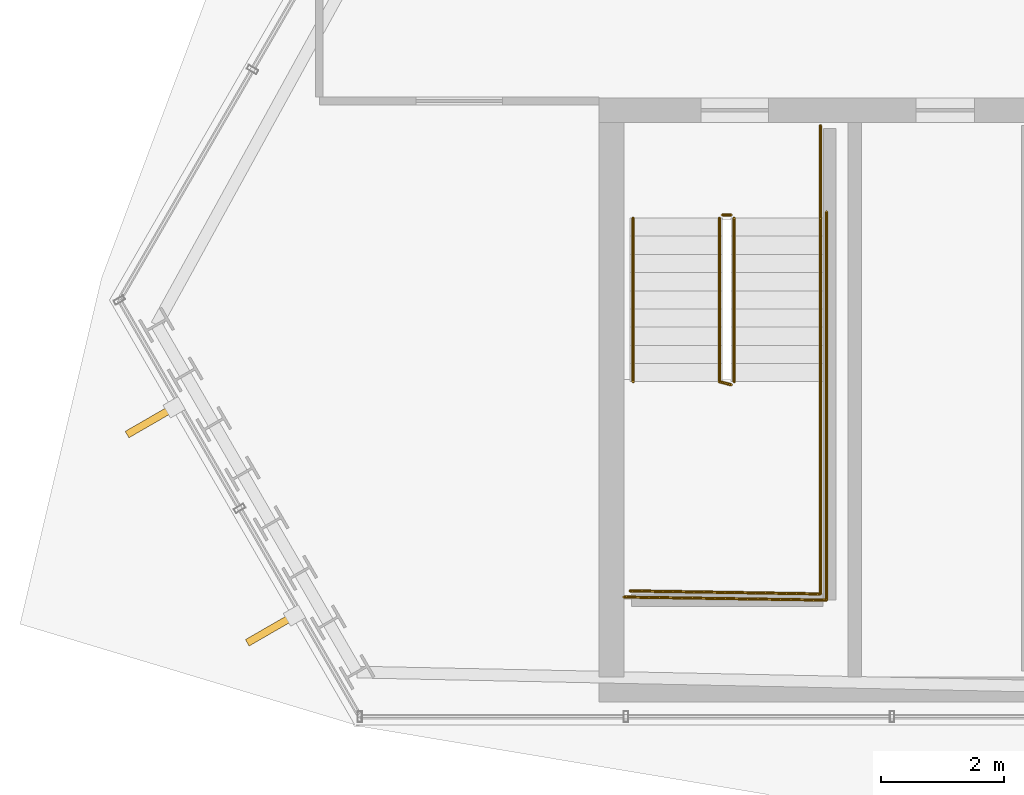
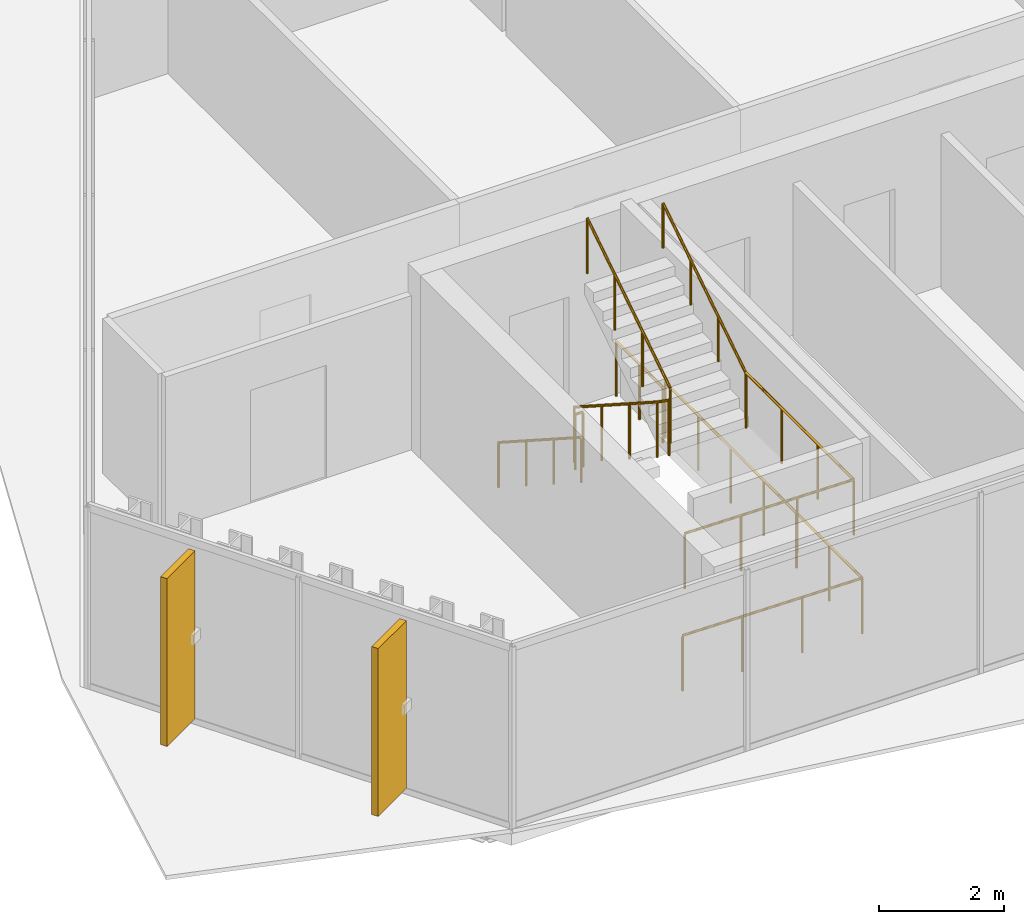
# One storey, part 32 of 37: 8 railings, 2 shading devices.
"""IFC4 building model written with IfcOpenShell, lengths in metres."""

import ifcopenshell
import ifcopenshell.guid

model = None  # the IFC model being written
_history = None  # IfcOwnerHistory: only IFC2X3 demands one
_inside = {}  # id of a spatial element -> (the spatial element, [elements in it])
_under = {}  # id of a project, library or spatial element -> (it, [spatial elements below it])
_declared = {}  # id of a project -> (the project, [libraries it declares])
_typed = {}  # id of a type object -> (the type object, [elements of that type])
_made_of = {}  # id of a material, layer set ... -> (it, [elements and type objects made of it])


def new_model(schema):
    """Start an empty IFC model of exactly this schema.

    Asked for "IFC4X3", IfcOpenShell would pick the latest addendum, in which some entities
    have other attributes; the version numbers below select the first issue.
    IFC2X3 requires an IfcOwnerHistory on every rooted entity: one is made here for all.
    """
    global model, _history
    if schema == "IFC4X3":
        model = ifcopenshell.file(schema_version=(4, 3, 0, 0))
    else:
        model = ifcopenshell.file(schema=schema)
    _inside.clear()
    _under.clear()
    _declared.clear()
    _typed.clear()
    _made_of.clear()
    _history = None
    if model.schema == "IFC2X3":
        org = make("IfcOrganization", Name="unknown")
        user = make(
            "IfcPersonAndOrganization",
            ThePerson=make("IfcPerson", FamilyName="unknown"),
            TheOrganization=org,
        )
        app = make(
            "IfcApplication",
            ApplicationDeveloper=org,
            Version="unknown",
            ApplicationFullName="unknown",
            ApplicationIdentifier="unknown",
        )
        _history = make(
            "IfcOwnerHistory",
            OwningUser=user,
            OwningApplication=app,
            ChangeAction="ADDED",
            CreationDate=0,
        )
    return model


def make(cls, **values):
    """One entity of the class cls with the attributes given. An attribute that is None is left unset."""
    return model.create_entity(
        cls, **{name: value for name, value in values.items() if value is not None}
    )


def rooted(cls, **values):
    """An entity with a GlobalId (a new one), such as an element, a storey or a relation."""
    return make(cls, GlobalId=ifcopenshell.guid.new(), OwnerHistory=_history, **values)


def si_unit(unit_type, name, prefix=None):
    """IfcSIUnit, for example si_unit("LENGTHUNIT", "METRE", prefix="MILLI")."""
    return make("IfcSIUnit", UnitType=unit_type, Prefix=prefix, Name=name)


def assignment(units):
    """IfcUnitAssignment: the units of a project."""
    return None if units is None else make("IfcUnitAssignment", Units=units)


def point(xyz):
    """IfcCartesianPoint."""
    return None if xyz is None else make("IfcCartesianPoint", Coordinates=xyz)


def direction(xyz):
    """IfcDirection."""
    return None if xyz is None else make("IfcDirection", DirectionRatios=xyz)


def frame(location, z_axis=None, x_axis=None):
    """IfcAxis2Placement3D, a coordinate frame: its origin and axes. An axis left out is left unset."""
    return make(
        "IfcAxis2Placement3D",
        Location=point(location),
        Axis=direction(z_axis),
        RefDirection=direction(x_axis),
    )


def frame_2d(location, x_axis=None):
    """IfcAxis2Placement2D, a coordinate frame in the plane: its origin and x axis."""
    return make(
        "IfcAxis2Placement2D", Location=point(location), RefDirection=direction(x_axis)
    )


def origin():
    """The frame at (0, 0, 0) with its axes left unset."""
    return frame((0.0, 0.0, 0.0))


def origin_2d():
    """The frame at (0, 0) in the plane with its x axis left unset."""
    return frame_2d((0.0, 0.0))


def place(relative_to, where):
    """IfcLocalPlacement: puts the frame where relative to a parent placement (None: the world)."""
    return make(
        "IfcLocalPlacement", PlacementRelTo=relative_to, RelativePlacement=where
    )


def context(
    kind, dimensions, precision=None, world=None, true_north=None, identifier=None
):
    """IfcGeometricRepresentationContext, for example the 3D "Model" context."""
    return make(
        "IfcGeometricRepresentationContext",
        ContextIdentifier=identifier,
        ContextType=kind,
        CoordinateSpaceDimension=dimensions,
        Precision=precision,
        WorldCoordinateSystem=world,
        TrueNorth=true_north,
    )


def subcontext(parent, identifier, kind, view, scale=None):
    """IfcGeometricRepresentationSubContext, for example "Body" below "Model"."""
    return make(
        "IfcGeometricRepresentationSubContext",
        ContextIdentifier=identifier,
        ContextType=kind,
        ParentContext=parent,
        TargetScale=scale,
        TargetView=view,
    )


def project(units=None, contexts=None):
    """IfcProject with its units and contexts."""
    return rooted(
        "IfcProject",
        Name="project",
        RepresentationContexts=contexts,
        UnitsInContext=assignment(units),
    )


def spatial(cls, under=None, at=None, **own):
    """A site, building, storey or space (cls), placed at a placement, below another one or the project."""
    s = rooted(cls, ObjectPlacement=at, **own)
    if under is not None:
        _under.setdefault(under.id(), (under, []))[1].append(s)
    return s


def profile(cls, at=None, kind="AREA", **sizes):
    """A parametric profile (cls). Its sizes go by their IFC names, for example OverallWidth=200.0."""
    return make(cls, ProfileType=kind, Position=at, **sizes)


def rectangle(**sizes):
    """IfcRectangleProfileDef."""
    return profile("IfcRectangleProfileDef", **sizes)


def circle(**sizes):
    """IfcCircleProfileDef."""
    return profile("IfcCircleProfileDef", **sizes)


def extrude(swept, where, along, depth):
    """IfcExtrudedAreaSolid: the profile swept, set in the frame where, extruded along a direction by depth."""
    return make(
        "IfcExtrudedAreaSolid",
        SweptArea=swept,
        Position=where,
        ExtrudedDirection=direction(along),
        Depth=depth,
    )


def shape(context_of_items, identifier, shape_type, items):
    """IfcShapeRepresentation: the items that make up one representation, for example the "Body"."""
    return make(
        "IfcShapeRepresentation",
        ContextOfItems=context_of_items,
        RepresentationIdentifier=identifier,
        RepresentationType=shape_type,
        Items=items,
    )


def material(Name=None, Category=None):
    """IfcMaterial."""
    return make("IfcMaterial", Name=Name, Category=Category)


def layer(
    of_material, thickness, ventilated=None, Name=None, Category=None, Priority=None
):
    """IfcMaterialLayer: one layer of a wall or slab, of a material (None: an air gap)."""
    return make(
        "IfcMaterialLayer",
        Material=of_material,
        LayerThickness=thickness,
        IsVentilated=ventilated,
        Name=Name,
        Category=Category,
        Priority=Priority,
    )


def layer_set(layers, Name=None):
    """IfcMaterialLayerSet."""
    return make("IfcMaterialLayerSet", MaterialLayers=layers, LayerSetName=Name)


def made_of(thing, what):
    """Note that an element or type object is made of a material, layer set ...; save() writes the relation."""
    if what is not None:
        _made_of.setdefault(what.id(), (what, []))[1].append(thing)
    return thing


def type_object(cls, material=None, **own):
    """A type object (cls), such as IfcWallType, which elements share."""
    return made_of(rooted(cls, **own), material)


def element(
    cls,
    number,
    at=None,
    inside=None,
    cuts=None,
    type_object=None,
    material=None,
    context=None,
    identifier="Body",
    shape_type=None,
    held_by="IfcProductDefinitionShape",
    body=None,
    shapes=None,
    **own,
):
    """One element of the class cls, such as IfcWall. Its Tag is "e" and its number.

    at: its placement. inside: the storey or other place that contains it. cuts: it is an
    opening in that element (IfcRelVoidsElement). A single representation is given by context,
    identifier, shape_type and body (its items); several are given by shapes. held_by: the class
    of the entity that holds the representations. save() writes the other relations.
    """
    e = rooted(cls, Tag="e%d" % number, ObjectPlacement=at, **own)
    if body is not None:
        shapes = [shape(context, identifier, shape_type, body)]
    if shapes is not None:
        e.Representation = make(held_by, Representations=shapes)
    if inside is not None:
        _inside.setdefault(inside.id(), (inside, []))[1].append(e)
    if cuts is not None:
        rooted(
            "IfcRelVoidsElement", RelatingBuildingElement=cuts, RelatedOpeningElement=e
        )
    if type_object is not None:
        _typed.setdefault(type_object.id(), (type_object, []))[1].append(e)
    return made_of(e, material)


def aggregate(whole, parts):
    """IfcRelAggregates: a whole, such as a stair, and the parts it consists of."""
    return rooted("IfcRelAggregates", RelatingObject=whole, RelatedObjects=parts)


def save(model, path):
    """Write the relations noted so far, then the file.

    IfcRelAggregates (storeys below a building ...), IfcRelContainedInSpatialStructure (elements
    in a storey), IfcRelDefinesByType, IfcRelAssociatesMaterial and IfcRelDeclares: one each for
    every whole, place, type object, material and project.
    """
    for whole, parts in _under.values():
        aggregate(whole, parts)
    for where, things in _inside.values():
        rooted(
            "IfcRelContainedInSpatialStructure",
            RelatedElements=things,
            RelatingStructure=where,
        )
    for kind, things in _typed.values():
        rooted("IfcRelDefinesByType", RelatedObjects=things, RelatingType=kind)
    for what, things in _made_of.values():
        rooted("IfcRelAssociatesMaterial", RelatedObjects=things, RelatingMaterial=what)
    for by, libraries in _declared.values():
        rooted("IfcRelDeclares", RelatingContext=by, RelatedDefinitions=libraries)
    model.write(path)


model = new_model("IFC4")

# Units and contexts
model_context = context("Model", 3, precision=1e-05, world=origin(), true_north=direction((0.0, 1.0)))
body_context = subcontext(model_context, "Body", "Model", "MODEL_VIEW")
ifc_project = project(units=[si_unit("LENGTHUNIT", "METRE"), si_unit("AREAUNIT", "SQUARE_METRE"), si_unit("VOLUMEUNIT", "CUBIC_METRE"), si_unit("PLANEANGLEUNIT", "RADIAN"), si_unit("MASSUNIT", "GRAM", prefix="KILO")], contexts=[model_context])

# Site, building, storey
site_placement = place(None, origin())
site = spatial("IfcSite", under=ifc_project, at=site_placement, CompositionType="ELEMENT")
building_placement = place(site_placement, origin())
building = spatial("IfcBuilding", under=site, at=building_placement, Name="Ndaravel Arena Tower", CompositionType="ELEMENT")
storey_placement = place(building_placement, frame((0.0, 0.0, 218.0)))
storey = spatial("IfcBuildingStorey", under=building, at=storey_placement, Name="L52", CompositionType="ELEMENT", Elevation=218.0)

# Railings
ifc_material_1 = material(Name="Steel S355", Category="steel")
ifc_layer_1 = layer(ifc_material_1, 0.06005859375)
ifc_layer_set_1 = layer_set([ifc_layer_1], Name="Steel S355")
railing_type_1 = type_object("IfcRailingType", Name="RAIL-STAIR-GD1100", PredefinedType="GUARDRAIL", material=ifc_layer_set_1)
railing_1_placement = place(storey_placement, frame((28.39990234375, 13.25, 0.18994140625)))
element("IfcRailing", 1, at=railing_1_placement, inside=storey, type_object=railing_type_1, Name="L52 ST-1 stair guard 1", PredefinedType="GUARDRAIL", context=body_context, shape_type="SweptSolid", body=[
    extrude(circle(Radius=0.02392578125, at=origin_2d()), frame((0.0, 0.0, 1.076171875), z_axis=(0.0, -0.840723540582, 0.54146461409), x_axis=(1.0, 0.0, 0.0)), (0.0, 0.0, 1.0), 3.157958984375),
    extrude(circle(Radius=0.02392578125, at=origin_2d()), frame((0.0, -2.655029296875, 2.7861328125), z_axis=(0.967074537263, -0.25449329928, 0.0), x_axis=(0.25449329928, 0.967074537263, 0.0)), (0.0, 0.0, 1.0), 0.19677734375),
    extrude(circle(Radius=0.02099609375, at=origin_2d()), origin(), (0.0, 0.0, 1.0), 1.052001953125),
    extrude(circle(Radius=0.02099609375, at=origin_2d()), frame((0.0, -0.885009765625, 0.570068359375)), (0.0, 0.0, 1.0), 1.052001953125),
    extrude(circle(Radius=0.02099609375, at=origin_2d()), frame((0.0, -1.77001953125, 1.139892578125)), (0.0, 0.0, 1.0), 1.052001953125),
    extrude(circle(Radius=0.02099609375, at=origin_2d()), frame((0.0, -2.655029296875, 1.7099609375)), (0.0, 0.0, 1.0), 1.052001953125),
    extrude(circle(Radius=0.02099609375, at=origin_2d()), frame((0.190185546875, -2.705078125, 1.7099609375)), (0.0, 0.0, 1.0), 1.052001953125),
])
railing_2_placement = place(storey_placement, frame((30.0400390625, 10.594970703125, 1.89990234375)))
element("IfcRailing", 2, at=railing_2_placement, inside=storey, type_object=railing_type_1, Name="L52 ST-1 stair guard 2", PredefinedType="GUARDRAIL", context=body_context, shape_type="SweptSolid", body=[
    extrude(circle(Radius=0.02392578125, at=origin_2d()), frame((0.0, 0.0, 1.076171875), z_axis=(0.0, -1.0, 0.0), x_axis=(1.0, 0.0, 0.0)), (0.0, 0.0, 1.0), 3.445068359375),
    extrude(circle(Radius=0.02392578125, at=origin_2d()), frame((0.0, -3.445068359375, 1.076171875), z_axis=(-0.999868861343, 0.016194447071, 0.0), x_axis=(-0.016194447071, -0.999868861343, 0.0)), (0.0, 0.0, 1.0), 3.090576171875),
    extrude(circle(Radius=0.02099609375, at=origin_2d()), origin(), (0.0, 0.0, 1.0), 1.052001953125),
    extrude(circle(Radius=0.02099609375, at=origin_2d()), frame((0.0, -1.1484375, 0.0)), (0.0, 0.0, 1.0), 1.052001953125),
    extrude(circle(Radius=0.02099609375, at=origin_2d()), frame((0.0, -2.296630859375, 0.0)), (0.0, 0.0, 1.0), 1.052001953125),
    extrude(circle(Radius=0.02099609375, at=origin_2d()), frame((0.0, -3.445068359375, 0.0)), (0.0, 0.0, 1.0), 1.052001953125),
    extrude(circle(Radius=0.02099609375, at=origin_2d()), frame((-1.030029296875, -3.428466796875, 0.0)), (0.0, 0.0, 1.0), 1.052001953125),
    extrude(circle(Radius=0.02099609375, at=origin_2d()), frame((-2.06005859375, -3.41162109375, 0.0)), (0.0, 0.0, 1.0), 1.052001953125),
    extrude(circle(Radius=0.02099609375, at=origin_2d()), frame((-3.090087890625, -3.39501953125, 0.0)), (0.0, 0.0, 1.0), 1.052001953125),
])
railing_3_placement = place(storey_placement, frame((28.639892578125, 10.594970703125, 2.090087890625)))
element("IfcRailing", 3, at=railing_3_placement, inside=storey, type_object=railing_type_1, Name="L52 ST-1 stair guard 3", PredefinedType="GUARDRAIL", context=body_context, shape_type="SweptSolid", body=[
    extrude(circle(Radius=0.02392578125, at=origin_2d()), frame((0.0, 0.0, 1.076171875), z_axis=(0.0, 0.840723540582, 0.54146461409), x_axis=(-1.0, 0.0, 0.0)), (0.0, 0.0, 1.0), 3.157958984375),
    extrude(circle(Radius=0.02099609375, at=origin_2d()), origin(), (0.0, 0.0, 1.0), 1.052001953125),
    extrude(circle(Radius=0.02099609375, at=origin_2d()), frame((0.0, 0.885009765625, 0.570068359375)), (0.0, 0.0, 1.0), 1.052001953125),
    extrude(circle(Radius=0.02099609375, at=origin_2d()), frame((0.0, 1.77001953125, 1.139892578125)), (0.0, 0.0, 1.0), 1.052001953125),
    extrude(circle(Radius=0.02099609375, at=origin_2d()), frame((0.0, 2.655029296875, 1.7099609375)), (0.0, 0.0, 1.0), 1.052001953125),
])
railing_4_placement = place(storey_placement, frame((28.449951171875, 13.300048828125, 0.0)))
element("IfcRailing", 4, at=railing_4_placement, inside=storey, type_object=railing_type_1, Name="L52 ST-1 stair guard 4", PredefinedType="GUARDRAIL", context=body_context, shape_type="SweptSolid", body=[
    extrude(circle(Radius=0.02392578125, at=origin_2d()), frame((0.0, 0.0, 1.076171875), z_axis=(1.0, 0.0, 0.0), x_axis=(0.0, 1.0, 0.0)), (0.0, 0.0, 1.0), 0.14013671875),
    extrude(circle(Radius=0.02099609375, at=origin_2d()), origin(), (0.0, 0.0, 1.0), 1.052001953125),
    extrude(circle(Radius=0.02099609375, at=origin_2d()), frame((0.14013671875, 0.0, 0.0)), (0.0, 0.0, 1.0), 1.052001953125),
])
railing_5_placement = place(storey_placement, frame((30.0400390625, 14.75, 0.0)))
element("IfcRailing", 5, at=railing_5_placement, inside=storey, type_object=railing_type_1, Name="L52 ST-1 stair guard 5", PredefinedType="GUARDRAIL", context=body_context, shape_type="SweptSolid", body=[
    extrude(circle(Radius=0.02392578125, at=origin_2d()), frame((0.0, 0.0, 1.076171875), z_axis=(0.0, -1.0, 0.0), x_axis=(1.0, 0.0, 0.0)), (0.0, 0.0, 1.0), 1.5),
    extrude(circle(Radius=0.02099609375, at=origin_2d()), origin(), (0.0, 0.0, 1.0), 1.052001953125),
    extrude(circle(Radius=0.02099609375, at=origin_2d()), frame((0.0, -0.75, 0.0)), (0.0, 0.0, 1.0), 1.052001953125),
    extrude(circle(Radius=0.02099609375, at=origin_2d()), frame((0.0, -1.5, 0.0)), (0.0, 0.0, 1.0), 1.052001953125),
])
railing_6_placement = place(storey_placement, frame((30.139892578125, 13.35009765625, 0.0)))
element("IfcRailing", 6, at=railing_6_placement, inside=storey, type_object=railing_type_1, Name="L52 ST-1 stair guard 6", PredefinedType="GUARDRAIL", context=body_context, shape_type="SweptSolid", body=[
    extrude(circle(Radius=0.02392578125, at=origin_2d()), frame((0.0, 0.0, 1.076171875), z_axis=(0.0, -1.0, 0.0), x_axis=(1.0, 0.0, 0.0)), (0.0, 0.0, 1.0), 6.300048828125),
    extrude(circle(Radius=0.02392578125, at=origin_2d()), frame((0.0, -6.300048828125, 1.076171875), z_axis=(-0.999884296952, 0.015211597839, 0.0), x_axis=(-0.015211597839, -0.999884296952, 0.0)), (0.0, 0.0, 1.0), 3.290283203125),
    extrude(circle(Radius=0.02099609375, at=origin_2d()), origin(), (0.0, 0.0, 1.0), 1.052001953125),
    extrude(circle(Radius=0.02099609375, at=origin_2d()), frame((0.0, -1.050048828125, 0.0)), (0.0, 0.0, 1.0), 1.052001953125),
    extrude(circle(Radius=0.02099609375, at=origin_2d()), frame((0.0, -2.10009765625, 0.0)), (0.0, 0.0, 1.0), 1.052001953125),
    extrude(circle(Radius=0.02099609375, at=origin_2d()), frame((0.0, -3.14990234375, 0.0)), (0.0, 0.0, 1.0), 1.052001953125),
    extrude(circle(Radius=0.02099609375, at=origin_2d()), frame((0.0, -4.199951171875, 0.0)), (0.0, 0.0, 1.0), 1.052001953125),
    extrude(circle(Radius=0.02099609375, at=origin_2d()), frame((0.0, -5.25, 0.0)), (0.0, 0.0, 1.0), 1.052001953125),
    extrude(circle(Radius=0.02099609375, at=origin_2d()), frame((0.0, -6.300048828125, 0.0)), (0.0, 0.0, 1.0), 1.052001953125),
    extrude(circle(Radius=0.02099609375, at=origin_2d()), frame((-1.0966796875, -6.283447265625, 0.0)), (0.0, 0.0, 1.0), 1.052001953125),
    extrude(circle(Radius=0.02099609375, at=origin_2d()), frame((-2.193115234375, -6.2666015625, 0.0)), (0.0, 0.0, 1.0), 1.052001953125),
    extrude(circle(Radius=0.02099609375, at=origin_2d()), frame((-3.289794921875, -6.25, 0.0)), (0.0, 0.0, 1.0), 1.052001953125),
])
ifc_material_2 = material(Name="Steel S355", Category="steel")
ifc_layer_2 = layer(ifc_material_2, 0.050048828125)
ifc_layer_set_2 = layer_set([ifc_layer_2], Name="Steel S355")
railing_type_2 = type_object("IfcRailingType", Name="RAIL-STAIR-HR920", PredefinedType="HANDRAIL", material=ifc_layer_set_2)
railing_7_placement = place(storey_placement, frame((27.0, 13.25, 0.18994140625)))
element("IfcRailing", 7, at=railing_7_placement, inside=storey, type_object=railing_type_2, Name="L52 ST-1 stair handrail 1", PredefinedType="HANDRAIL", context=body_context, shape_type="SweptSolid", body=[
    extrude(circle(Radius=0.02392578125, at=origin_2d()), frame((0.0, 0.0, 0.8759765625), z_axis=(0.0, -0.840723540582, 0.54146461409), x_axis=(1.0, 0.0, 0.0)), (0.0, 0.0, 1.0), 3.157958984375),
    extrude(circle(Radius=0.02099609375, at=origin_2d()), origin(), (0.0, 0.0, 1.0), 0.851806640625),
    extrude(circle(Radius=0.02099609375, at=origin_2d()), frame((0.0, -0.885009765625, 0.570068359375)), (0.0, 0.0, 1.0), 0.851806640625),
    extrude(circle(Radius=0.02099609375, at=origin_2d()), frame((0.0, -1.77001953125, 1.139892578125)), (0.0, 0.0, 1.0), 0.851806640625),
    extrude(circle(Radius=0.02099609375, at=origin_2d()), frame((0.0, -2.655029296875, 1.7099609375)), (0.0, 0.0, 1.0), 0.851806640625),
])
railing_8_placement = place(storey_placement, frame((30.0400390625, 10.594970703125, 2.090087890625)))
element("IfcRailing", 8, at=railing_8_placement, inside=storey, type_object=railing_type_2, Name="L52 ST-1 stair handrail 2", PredefinedType="HANDRAIL", context=body_context, shape_type="SweptSolid", body=[
    extrude(circle(Radius=0.02392578125, at=origin_2d()), frame((0.0, 0.0, 0.8759765625), z_axis=(0.0, 0.840723540582, 0.54146461409), x_axis=(-1.0, 0.0, 0.0)), (0.0, 0.0, 1.0), 3.157958984375),
    extrude(circle(Radius=0.02099609375, at=origin_2d()), origin(), (0.0, 0.0, 1.0), 0.851806640625),
    extrude(circle(Radius=0.02099609375, at=origin_2d()), frame((0.0, 0.885009765625, 0.570068359375)), (0.0, 0.0, 1.0), 0.851806640625),
    extrude(circle(Radius=0.02099609375, at=origin_2d()), frame((0.0, 1.77001953125, 1.139892578125)), (0.0, 0.0, 1.0), 0.851806640625),
    extrude(circle(Radius=0.02099609375, at=origin_2d()), frame((0.0, 2.655029296875, 1.7099609375)), (0.0, 0.0, 1.0), 0.851806640625),
])

# Shading devices
ifc_material_3 = material(Name="Masonry", Category="masonry")
shading_device_type = type_object("IfcShadingDeviceType", Name="SHD-MAZERAS-FIN", PredefinedType="SHUTTER", material=ifc_material_3)
for number, where, z_axis, x_axis, name in (
    (9, (19.177978515625, 9.961669921875, 0.14990234375), (0.0, 0.0, 1.0), (-0.866025403784, -0.5, 0.0), "L52 Mazeras Stone Solar Fin E6.1"),
    (10, (21.12890625, 6.58251953125, 0.14990234375), (0.0, 0.0, 1.0), (-0.866025403784, -0.5, 0.0), "L52 Mazeras Stone Solar Fin E6.2"),
):
    element("IfcShadingDevice", number, at=place(storey_placement, frame(where, z_axis=z_axis, x_axis=x_axis)), inside=storey, type_object=shading_device_type, Name=name, PredefinedType="SHUTTER", context=body_context, shape_type="SweptSolid", body=[
        extrude(rectangle(XDim=0.89990234375, YDim=0.1201171875, at=origin_2d()), origin(), (0.0, 0.0, 1.0), 3.280029296875),
    ])

save(model, "model.ifc")
